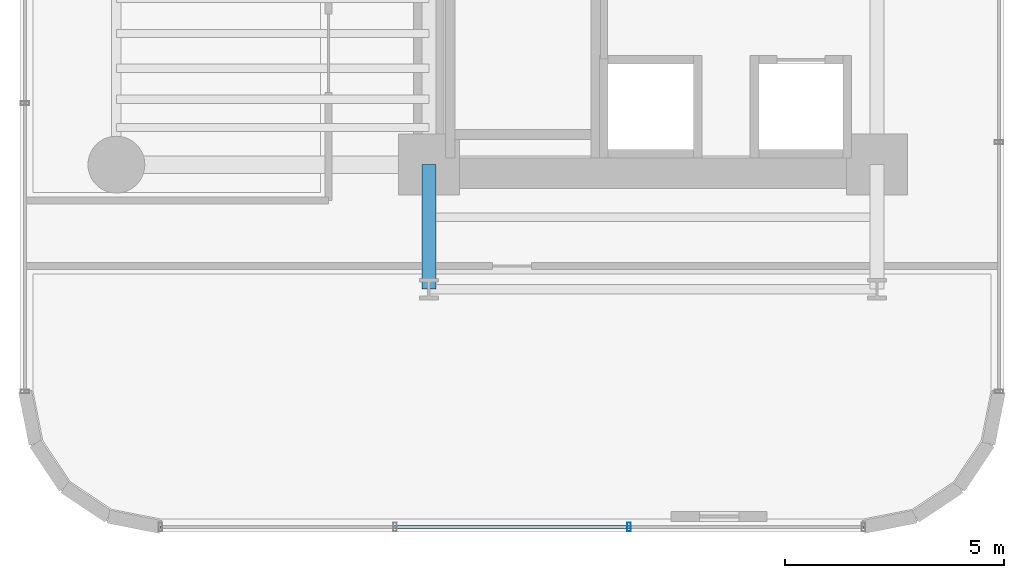
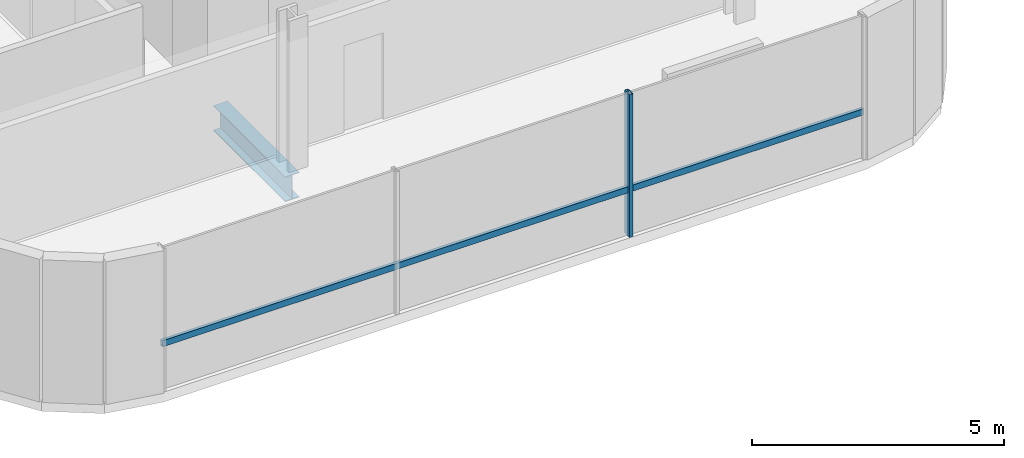
# One storey, part 3 of 39: 2 members, 1 beam, 1 element without a shape of its own.
"""IFC4 building model written with IfcOpenShell, lengths in metres."""

from ifc_helpers import new_model, si_unit, direction, frame, origin, origin_2d, place, context, subcontext, project, spatial, hollow_rectangle, i_section, extrude, source, transform, mapped, material, material_profile, profile_set, type_object, element, aggregate, save


model = new_model("IFC4")

# Units and contexts
model_context = context("Model", 3, precision=1e-05, world=origin(), true_north=direction((0.0, 1.0)))
body_context = subcontext(model_context, "Body", "Model", "MODEL_VIEW")
ifc_project = project(units=[si_unit("LENGTHUNIT", "METRE"), si_unit("AREAUNIT", "SQUARE_METRE"), si_unit("VOLUMEUNIT", "CUBIC_METRE"), si_unit("PLANEANGLEUNIT", "RADIAN"), si_unit("MASSUNIT", "GRAM", prefix="KILO")], contexts=[model_context])

# Site, building, storey
site_placement = place(None, origin())
site = spatial("IfcSite", under=ifc_project, at=site_placement, CompositionType="ELEMENT")
building_placement = place(site_placement, origin())
building = spatial("IfcBuilding", under=site, at=building_placement, Name="Valdorenza Pilgrim Sanctuary Tower", CompositionType="ELEMENT")
storey_placement = place(building_placement, frame((0.0, 0.0, 74.10009765625)))
storey = spatial("IfcBuildingStorey", under=building, at=storey_placement, Name="L18", CompositionType="ELEMENT", Elevation=74.10009765625)

# Beam
ifc_material_1 = material(Name="Steel ASTM A992 Grade 50", Category="steel")
ifc_material_profile_1 = material_profile(ifc_material_1, i_section(OverallWidth=0.323974609375, OverallDepth=0.611083984375, WebThickness=0.0126953125, FlangeThickness=0.01904296875, at=origin_2d()), Name="W24X104")
ifc_profile_set_1 = profile_set([ifc_material_profile_1], Name="Steel ASTM A992 Grade 50")
beam_type = type_object("IfcBeamType", Name="STR-BM-GRD-W24B", PredefinedType="BEAM", material=ifc_profile_set_1)
shared_shape_1 = source(origin(), body_context, "Body", "SweptSolid", [
    extrude(i_section(OverallWidth=0.323974609375, OverallDepth=0.611083984375, WebThickness=0.0126953125, FlangeThickness=0.01904296875, at=origin_2d()), origin(), (0.0, 0.0, 1.0), 2.849853515625),
])
beam_placement = place(storey_placement, frame((-22.64990234375, -13.449951171875, -0.545654296875), z_axis=(0.0, 1.0, 0.0), x_axis=(-1.0, 0.0, 0.0)))
element("IfcBeam", 1, at=beam_placement, inside=storey, type_object=beam_type, Name="L18 Floor Girder WA-S-LW", PredefinedType="BEAM", context=body_context, shape_type="MappedRepresentation", body=[
    mapped(shared_shape_1, transform((0.0, 0.0, 0.0), x_axis=(1.0, 0.0, 0.0), y_axis=(0.0, 1.0, 0.0), z_axis=(0.0, 0.0, 1.0), scale=1.0)),
])

# Curtain wall, members
ifc_material_2 = material(Name="Curtain-wall IGU glazing", Category="glass")
curtain_wall_type = type_object("IfcCurtainWallType", Name="CW-SYS-02", PredefinedType="NOTDEFINED", material=ifc_material_2)
curtain_wall_placement = place(storey_placement, origin())
curtain_wall = element("IfcCurtainWall", 2, at=curtain_wall_placement, inside=storey, type_object=curtain_wall_type, Name="L18 Curtain Wall CW-L18-1-46", PredefinedType="NOTDEFINED")
ifc_material_3 = material(Name="Anodised aluminium AW-6060", Category="aluminium")
ifc_material_profile_2 = material_profile(ifc_material_3, hollow_rectangle(XDim=0.0849609375, YDim=0.199951171875, WallThickness=0.0048828125, at=origin_2d()), Name="ALU-M 200x85x5")
ifc_profile_set_2 = profile_set([ifc_material_profile_2], Name="Anodised aluminium AW-6060")
member_type_1 = type_object("IfcMemberType", Name="CW-MUL-02", PredefinedType="MULLION", material=ifc_profile_set_2)
shared_shape_2 = source(origin(), body_context, "Body", "SweptSolid", [
    extrude(hollow_rectangle(XDim=0.0849609375, YDim=0.199951171875, WallThickness=0.0048828125, at=origin_2d()), origin(), (0.0, 0.0, 1.0), 3.4599609375),
])
member_1_placement = place(storey_placement, frame((-18.0703125, -18.889892578125, 0.0), z_axis=(0.0, 0.0, 1.0), x_axis=(-1.0, 0.0, 0.0)))
member_1 = element("IfcMember", 3, at=member_1_placement, type_object=member_type_1, Name="CW-L18-1-46 Mullion 2", PredefinedType="MULLION", context=body_context, shape_type="MappedRepresentation", body=[
    mapped(shared_shape_2, transform((0.0, 0.0, 0.0), x_axis=(1.0, 0.0, 0.0), y_axis=(0.0, 1.0, 0.0), z_axis=(0.0, 0.0, 1.0), scale=1.0)),
])
ifc_material_profile_3 = material_profile(ifc_material_3, hollow_rectangle(XDim=0.074951171875, YDim=0.14990234375, WallThickness=0.00390625, at=origin_2d()), Name="ALU-T 150x75x4")
ifc_profile_set_3 = profile_set([ifc_material_profile_3], Name="Anodised aluminium AW-6060")
member_type_2 = type_object("IfcMemberType", Name="CW-TRN-02", PredefinedType="USERDEFINED", material=ifc_profile_set_3)
shared_shape_3 = source(origin(), body_context, "Body", "SweptSolid", [
    extrude(hollow_rectangle(XDim=0.074951171875, YDim=0.14990234375, WallThickness=0.00390625, at=origin_2d()), origin(), (0.0, 0.0, 1.0), 16.07861328125),
])
member_2_placement = place(storey_placement, frame((-12.710693359375, -18.889892578125, 1.119873046875), z_axis=(-1.0, 0.0, 0.0), x_axis=(0.0, -1.0, 0.0)))
member_2 = element("IfcMember", 4, at=member_2_placement, type_object=member_type_2, Name="CW-L18-1-46 Transom 1", ObjectType="TRANSOM", PredefinedType="USERDEFINED", context=body_context, shape_type="MappedRepresentation", body=[
    mapped(shared_shape_3, transform((0.0, 0.0, 0.0), x_axis=(1.0, 0.0, 0.0), y_axis=(0.0, 1.0, 0.0), z_axis=(0.0, 0.0, 1.0), scale=1.0)),
])
aggregate(curtain_wall, [member_1, member_2])

save(model, "model.ifc")
